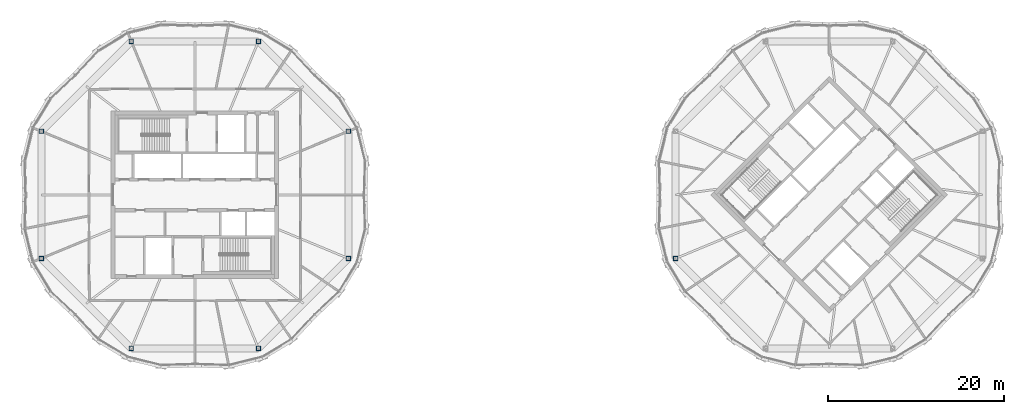
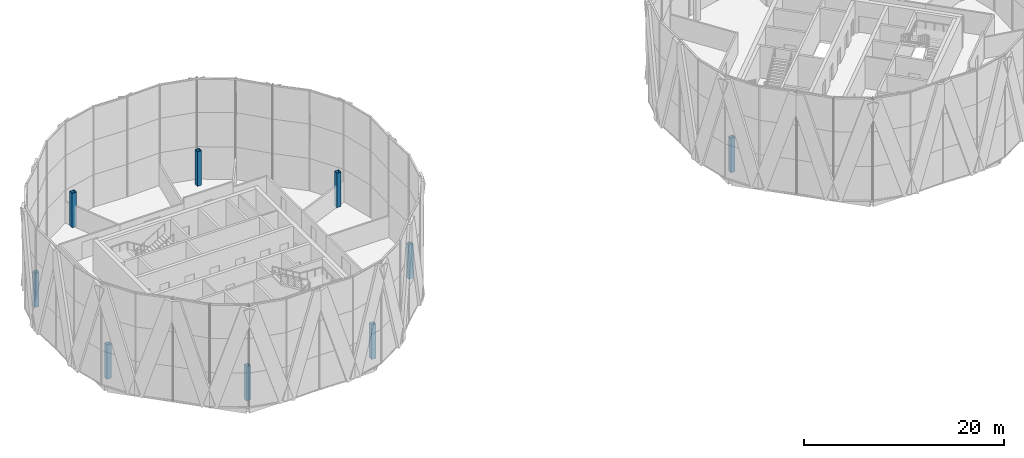
# One storey, part 1 of 23: 9 columns.
"""IFC4 building model written with IfcOpenShell, lengths in metres."""

from ifc_helpers import new_model, si_unit, direction, frame, origin, origin_2d, place, context, subcontext, project, spatial, hollow_rectangle, extrude, material, material_profile, profile_set, type_object, element, save


model = new_model("IFC4")

# Units and contexts
model_context = context("Model", 3, precision=1e-05, world=origin(), true_north=direction((0.0, 1.0)))
body_context = subcontext(model_context, "Body", "Model", "MODEL_VIEW")
ifc_project = project(units=[si_unit("LENGTHUNIT", "METRE"), si_unit("AREAUNIT", "SQUARE_METRE"), si_unit("VOLUMEUNIT", "CUBIC_METRE"), si_unit("PLANEANGLEUNIT", "RADIAN"), si_unit("MASSUNIT", "GRAM", prefix="KILO")], contexts=[model_context])

# Site, building, storey
site_placement = place(None, origin())
site = spatial("IfcSite", under=ifc_project, at=site_placement, CompositionType="ELEMENT")
building_placement = place(site_placement, origin())
building = spatial("IfcBuilding", under=site, at=building_placement, Name="Ogive Gate Towers", CompositionType="ELEMENT")
storey_placement = place(building_placement, frame((0.0, 0.0, 256.199951171875)))
storey = spatial("IfcBuildingStorey", under=building, at=storey_placement, Name="L60", CompositionType="ELEMENT", Elevation=256.199951171875)

# Columns
ifc_material = material(Name="Steel SM460", Category="steel")
ifc_material_profile = material_profile(ifc_material, hollow_rectangle(XDim=0.5, YDim=0.5, WallThickness=0.030029296875, at=origin_2d()), Name="BX 500x500x30")
ifc_profile_set = profile_set([ifc_material_profile], Name="Steel SM460")
column_type = type_object("IfcColumnType", Name="Perimeter post BX 500x500x30", PredefinedType="COLUMN", material=ifc_profile_set)
for number, where, z_axis, x_axis, name in (
    (1, (-18.57568359375, 7.217529296875, 0.0), (0.0, 0.0, 1.0), (1.0, 0.0, 0.0), "T1/L60/SCL001"),
    (2, (-28.782470703125, 17.42431640625, 0.0), (0.0, 0.0, 1.0), (1.0, 0.0, 0.0), "T1/L60/SCL002"),
    (3, (-43.217529296875, 17.42431640625, 0.0), (0.0, 0.0, 1.0), (1.0, 0.0, 0.0), "T1/L60/SCL003"),
    (4, (-53.42431640625, 7.217529296875, 0.0), (0.0, 0.0, 1.0), (1.0, 0.0, 0.0), "T1/L60/SCL004"),
    (5, (-53.42431640625, -7.217529296875, 0.0), (0.0, 0.0, 1.0), (1.0, 0.0, 0.0), "T1/L60/SCL005"),
    (6, (-43.217529296875, -17.42431640625, 0.0), (0.0, 0.0, 1.0), (1.0, 0.0, 0.0), "T1/L60/SCL006"),
    (7, (-28.782470703125, -17.42431640625, 0.0), (0.0, 0.0, 1.0), (1.0, 0.0, 0.0), "T1/L60/SCL007"),
    (8, (-18.57568359375, -7.217529296875, 0.0), (0.0, 0.0, 1.0), (1.0, 0.0, 0.0), "T1/L60/SCL008"),
    (9, (18.57568359375, -7.217529296875, 0.0), (0.0, 0.0, 1.0), (1.0, 0.0, 0.0), "T2/L60/SCL005"),
):
    element("IfcColumn", number, at=place(storey_placement, frame(where, z_axis=z_axis, x_axis=x_axis)), inside=storey, type_object=column_type, Name=name, PredefinedType="COLUMN", context=body_context, shape_type="SweptSolid", body=[
        extrude(hollow_rectangle(XDim=0.5, YDim=0.5, WallThickness=0.030029296875, at=origin_2d()), origin(), (0.0, 0.0, 1.0), 4.199951171875),
    ])

save(model, "model.ifc")
